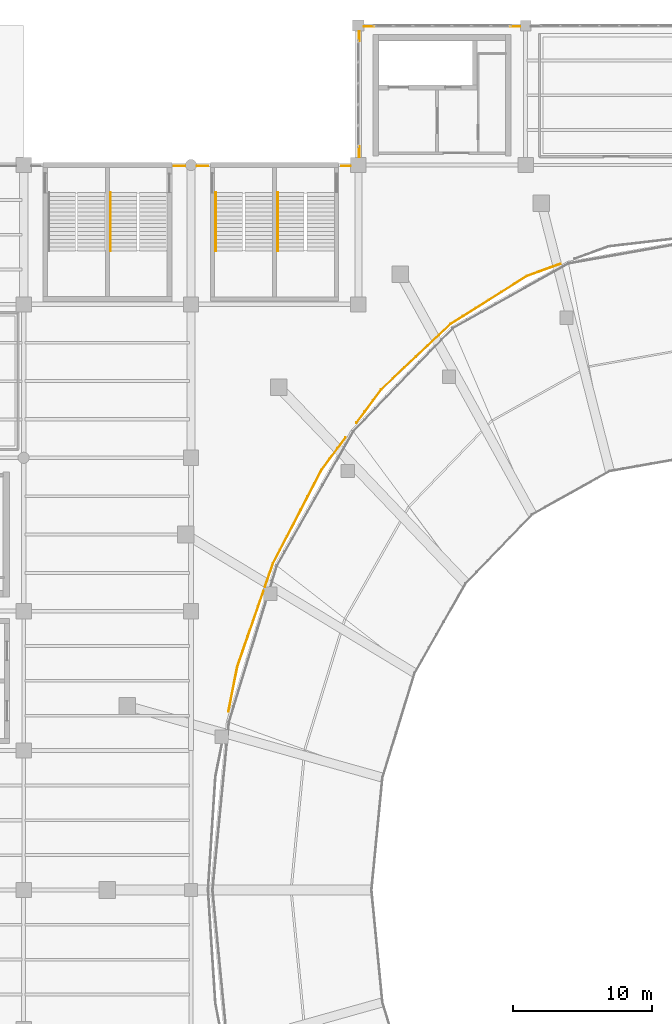
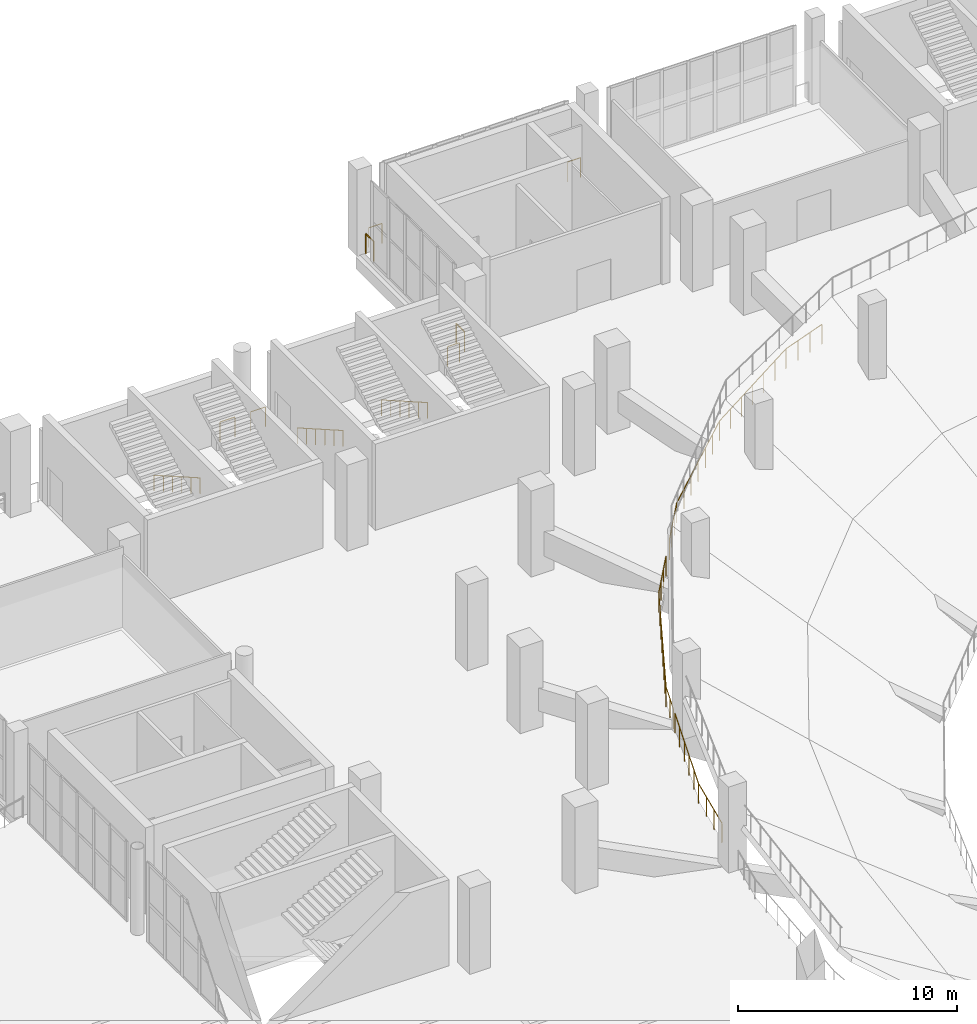
# One storey, part 129 of 136: 13 railings.
"""IFC4 building model written with IfcOpenShell, lengths in metres."""

from ifc_helpers import new_model, si_unit, direction, frame, origin, origin_2d, place, context, subcontext, project, spatial, circle, extrude, material, type_object, element, save


model = new_model("IFC4")

# Units and contexts
model_context = context("Model", 3, precision=1e-05, world=origin(), true_north=direction((0.0, 1.0)))
body_context = subcontext(model_context, "Body", "Model", "MODEL_VIEW")
ifc_project = project(units=[si_unit("LENGTHUNIT", "METRE"), si_unit("AREAUNIT", "SQUARE_METRE"), si_unit("VOLUMEUNIT", "CUBIC_METRE"), si_unit("PLANEANGLEUNIT", "RADIAN"), si_unit("MASSUNIT", "GRAM", prefix="KILO")], contexts=[model_context])

# Site, building, storey
site_placement = place(None, origin())
site = spatial("IfcSite", under=ifc_project, at=site_placement, CompositionType="ELEMENT")
building_placement = place(site_placement, origin())
building = spatial("IfcBuilding", under=site, at=building_placement, Name="Brinegate Civic Arena", CompositionType="ELEMENT")
storey_placement = place(building_placement, frame((0.0, 0.0, 5.39990234375)))
storey = spatial("IfcBuildingStorey", under=building, at=storey_placement, Name="L01", CompositionType="ELEMENT", Elevation=5.39990234375)

# Railings
ifc_material = material(Name="Architectural stainless steel balustrade", Category="steel")
railing_type_1 = type_object("IfcRailingType", Name="RAIL-STAIR-HANDRAIL-900", PredefinedType="HANDRAIL", material=ifc_material)
for number, where, name in (
    (1, (66.22509765625, 107.830078125, 2.400146484375), "Stair Pitch Handrail ST-01B L01"),
    (2, (73.77490234375, 107.830078125, 2.400146484375), "Stair Pitch Handrail ST-11A L01"),
    (3, (78.22509765625, 107.830078125, 2.400146484375), "Stair Pitch Handrail ST-11B L01"),
):
    element("IfcRailing", number, at=place(storey_placement, frame(where)), inside=storey, type_object=railing_type_1, Name=name, PredefinedType="HANDRAIL", context=body_context, shape_type="SweptSolid", body=[
        extrude(circle(Radius=0.02392578125, at=origin_2d()), frame((0.0, 0.001220703125, 0.875), z_axis=(0.0, 0.868227612608, -0.496166114024), x_axis=(-1.0, 0.0, 0.0)), (0.0, 0.0, 1.0), 4.83447265625),
        extrude(circle(Radius=0.02099609375, at=origin_2d()), origin(), (0.0, 0.0, 1.0), 0.849853515625),
        extrude(circle(Radius=0.02099609375, at=origin_2d()), frame((0.0, 0.840087890625, -0.47998046875)), (0.0, 0.0, 1.0), 0.849853515625),
        extrude(circle(Radius=0.02099609375, at=origin_2d()), frame((0.0, 1.679931640625, -0.9599609375)), (0.0, 0.0, 1.0), 0.849853515625),
        extrude(circle(Radius=0.02099609375, at=origin_2d()), frame((0.0, 2.52001953125, -1.440185546875)), (0.0, 0.0, 1.0), 0.849853515625),
        extrude(circle(Radius=0.02099609375, at=origin_2d()), frame((0.0, 3.35986328125, -1.920166015625)), (0.0, 0.0, 1.0), 0.849853515625),
        extrude(circle(Radius=0.02099609375, at=origin_2d()), frame((0.0, 4.199951171875, -2.400146484375)), (0.0, 0.0, 1.0), 0.849853515625),
    ])
railing_type_2 = type_object("IfcRailingType", Name="RAIL-VOID-BALUSTRADE-1120", PredefinedType="BALUSTRADE", material=ifc_material)
for number, where, name in (
    (4, (70.800048828125, 113.929931640625, 0.0), "Deck Edge Balustrade L01-015"),
    (5, (72.419921875, 113.929931640625, 0.0), "Deck Edge Balustrade L01-016"),
):
    element("IfcRailing", number, at=place(storey_placement, frame(where)), inside=storey, type_object=railing_type_2, Name=name, PredefinedType="BALUSTRADE", context=body_context, shape_type="SweptSolid", body=[
        extrude(circle(Radius=0.02392578125, at=origin_2d()), frame((0.00146484375, 0.0, 1.09619140625), z_axis=(1.0, 0.0, 0.0), x_axis=(0.0, 1.0, 0.0)), (0.0, 0.0, 1.0), 0.777099609375),
        extrude(circle(Radius=0.02099609375, at=origin_2d()), origin(), (0.0, 0.0, 1.0), 1.070068359375),
        extrude(circle(Radius=0.02099609375, at=origin_2d()), frame((0.780029296875, 0.0, 0.0)), (0.0, 0.0, 1.0), 1.070068359375),
    ])
railing_1_placement = place(storey_placement, frame((82.800048828125, 113.929931640625, 0.0)))
element("IfcRailing", 6, at=railing_1_placement, inside=storey, type_object=railing_type_2, Name="Deck Edge Balustrade L01-017", PredefinedType="BALUSTRADE", context=body_context, shape_type="SweptSolid", body=[
    extrude(circle(Radius=0.02392578125, at=origin_2d()), frame((0.00146484375, 0.0, 1.09619140625), z_axis=(1.0, 0.0, 0.0), x_axis=(0.0, 1.0, 0.0)), (0.0, 0.0, 1.0), 0.626953125),
    extrude(circle(Radius=0.02099609375, at=origin_2d()), origin(), (0.0, 0.0, 1.0), 1.070068359375),
    extrude(circle(Radius=0.02099609375, at=origin_2d()), frame((0.6298828125, 0.0, 0.0)), (0.0, 0.0, 1.0), 1.070068359375),
])
railing_2_placement = place(storey_placement, frame((84.070068359375, 114.570068359375, 0.0)))
element("IfcRailing", 7, at=railing_2_placement, inside=storey, type_object=railing_type_2, Name="Deck Edge Balustrade L01-018", PredefinedType="BALUSTRADE", context=body_context, shape_type="SweptSolid", body=[
    extrude(circle(Radius=0.02392578125, at=origin_2d()), frame((0.0, 0.00146484375, 1.09619140625), z_axis=(0.0, 1.0, 0.0), x_axis=(-1.0, 0.0, 0.0)), (0.0, 0.0, 1.0), 0.7548828125),
    extrude(circle(Radius=0.02099609375, at=origin_2d()), origin(), (0.0, 0.0, 1.0), 1.070068359375),
    extrude(circle(Radius=0.02099609375, at=origin_2d()), frame((0.0, 0.7578125, 0.0)), (0.0, 0.0, 1.0), 1.070068359375),
])
railing_3_placement = place(storey_placement, frame((84.070068359375, 122.884033203125, 0.0)))
element("IfcRailing", 8, at=railing_3_placement, inside=storey, type_object=railing_type_2, Name="Deck Edge Balustrade L01-019", PredefinedType="BALUSTRADE", context=body_context, shape_type="SweptSolid", body=[
    extrude(circle(Radius=0.02392578125, at=origin_2d()), frame((0.0, 0.00146484375, 1.09619140625), z_axis=(0.0, 1.0, 0.0), x_axis=(-1.0, 0.0, 0.0)), (0.0, 0.0, 1.0), 0.693115234375),
    extrude(circle(Radius=0.02099609375, at=origin_2d()), origin(), (0.0, 0.0, 1.0), 1.070068359375),
    extrude(circle(Radius=0.02099609375, at=origin_2d()), frame((0.0, 0.696044921875, 0.0)), (0.0, 0.0, 1.0), 1.070068359375),
])
railing_4_placement = place(storey_placement, frame((84.419921875, 123.929931640625, 0.0)))
element("IfcRailing", 9, at=railing_4_placement, inside=storey, type_object=railing_type_2, Name="Deck Edge Balustrade L01-020", PredefinedType="BALUSTRADE", context=body_context, shape_type="SweptSolid", body=[
    extrude(circle(Radius=0.02392578125, at=origin_2d()), frame((0.00146484375, 0.0, 1.09619140625), z_axis=(1.0, 0.0, 0.0), x_axis=(0.0, 1.0, 0.0)), (0.0, 0.0, 1.0), 0.693115234375),
    extrude(circle(Radius=0.02099609375, at=origin_2d()), origin(), (0.0, 0.0, 1.0), 1.070068359375),
    extrude(circle(Radius=0.02099609375, at=origin_2d()), frame((0.696044921875, 0.0, 0.0)), (0.0, 0.0, 1.0), 1.070068359375),
])
railing_5_placement = place(storey_placement, frame((94.919921875, 123.929931640625, 0.0)))
element("IfcRailing", 10, at=railing_5_placement, inside=storey, type_object=railing_type_2, Name="Deck Edge Balustrade L01-021", PredefinedType="BALUSTRADE", context=body_context, shape_type="SweptSolid", body=[
    extrude(circle(Radius=0.02392578125, at=origin_2d()), frame((0.00146484375, 0.0, 1.09619140625), z_axis=(1.0, 0.0, 0.0), x_axis=(0.0, 1.0, 0.0)), (0.0, 0.0, 1.0), 0.68212890625),
    extrude(circle(Radius=0.02099609375, at=origin_2d()), origin(), (0.0, 0.0, 1.0), 1.070068359375),
    extrude(circle(Radius=0.02099609375, at=origin_2d()), frame((0.68505859375, 0.0, 0.0)), (0.0, 0.0, 1.0), 1.070068359375),
])
railing_6_placement = place(storey_placement, frame((98.509033203125, 106.910888671875, 0.0)))
element("IfcRailing", 11, at=railing_6_placement, inside=storey, type_object=railing_type_2, Name="Deck Edge Balustrade L01-099", PredefinedType="BALUSTRADE", context=body_context, shape_type="SweptSolid", body=[
    extrude(circle(Radius=0.02392578125, at=origin_2d()), frame((-0.00146484375, -0.00048828125, 1.09619140625), z_axis=(-0.940570022755, -0.339599811978, 0.0), x_axis=(0.339599811978, -0.940570022755, 0.0)), (0.0, 0.0, 1.0), 2.5498046875),
    extrude(circle(Radius=0.02392578125, at=origin_2d()), frame((-2.40234375, -0.86767578125, 1.09619140625), z_axis=(-0.846573112604, -0.532272453746, 0.0), x_axis=(0.532272453746, -0.846573112604, 0.0)), (0.0, 0.0, 1.0), 6.48779296875),
    extrude(circle(Radius=0.02392578125, at=origin_2d()), frame((-7.89697265625, -4.32275390625, 1.09619140625), z_axis=(-0.727244132843, -0.686378883158, 0.0), x_axis=(0.686378883158, -0.727244132843, 0.0)), (0.0, 0.0, 1.0), 6.82568359375),
    extrude(circle(Radius=0.02392578125, at=origin_2d()), frame((-12.863037109375, -9.010009765625, 1.09619140625), z_axis=(-0.59566270232, -0.803234676209, 0.0), x_axis=(0.803234676209, -0.59566270232, 0.0)), (0.0, 0.0, 1.0), 2.97509765625),
    extrude(circle(Radius=0.02099609375, at=origin_2d()), origin(), (0.0, 0.0, 1.0), 1.070068359375),
    extrude(circle(Radius=0.02099609375, at=origin_2d()), frame((-0.80029296875, -0.2890625, 0.0)), (0.0, 0.0, 1.0), 1.070068359375),
    extrude(circle(Radius=0.02099609375, at=origin_2d()), frame((-1.600830078125, -0.577880859375, 0.0)), (0.0, 0.0, 1.0), 1.070068359375),
    extrude(circle(Radius=0.02099609375, at=origin_2d()), frame((-2.401123046875, -0.866943359375, 0.0)), (0.0, 0.0, 1.0), 1.070068359375),
    extrude(circle(Radius=0.02099609375, at=origin_2d()), frame((-3.31689453125, -1.44287109375, 0.0)), (0.0, 0.0, 1.0), 1.070068359375),
    extrude(circle(Radius=0.02099609375, at=origin_2d()), frame((-4.232666015625, -2.0185546875, 0.0)), (0.0, 0.0, 1.0), 1.070068359375),
    extrude(circle(Radius=0.02099609375, at=origin_2d()), frame((-5.1484375, -2.59423828125, 0.0)), (0.0, 0.0, 1.0), 1.070068359375),
    extrude(circle(Radius=0.02099609375, at=origin_2d()), frame((-6.064453125, -3.170166015625, 0.0)), (0.0, 0.0, 1.0), 1.070068359375),
    extrude(circle(Radius=0.02099609375, at=origin_2d()), frame((-6.980224609375, -3.74609375, 0.0)), (0.0, 0.0, 1.0), 1.070068359375),
    extrude(circle(Radius=0.02099609375, at=origin_2d()), frame((-7.89599609375, -4.32177734375, 0.0)), (0.0, 0.0, 1.0), 1.070068359375),
    extrude(circle(Radius=0.02099609375, at=origin_2d()), frame((-8.7236328125, -5.10302734375, 0.0)), (0.0, 0.0, 1.0), 1.070068359375),
    extrude(circle(Radius=0.02099609375, at=origin_2d()), frame((-9.55126953125, -5.884033203125, 0.0)), (0.0, 0.0, 1.0), 1.070068359375),
    extrude(circle(Radius=0.02099609375, at=origin_2d()), frame((-10.37890625, -6.665283203125, 0.0)), (0.0, 0.0, 1.0), 1.070068359375),
    extrude(circle(Radius=0.02099609375, at=origin_2d()), frame((-11.206787109375, -7.446533203125, 0.0)), (0.0, 0.0, 1.0), 1.070068359375),
    extrude(circle(Radius=0.02099609375, at=origin_2d()), frame((-12.034423828125, -8.2275390625, 0.0)), (0.0, 0.0, 1.0), 1.070068359375),
    extrude(circle(Radius=0.02099609375, at=origin_2d()), frame((-12.862060546875, -9.0087890625, 0.0)), (0.0, 0.0, 1.0), 1.070068359375),
    extrude(circle(Radius=0.02099609375, at=origin_2d()), frame((-13.453369140625, -9.80615234375, 0.0)), (0.0, 0.0, 1.0), 1.070068359375),
    extrude(circle(Radius=0.02099609375, at=origin_2d()), frame((-14.044677734375, -10.603515625, 0.0)), (0.0, 0.0, 1.0), 1.070068359375),
    extrude(circle(Radius=0.02099609375, at=origin_2d()), frame((-14.635986328125, -11.40087890625, 0.0)), (0.0, 0.0, 1.0), 1.070068359375),
])
railing_7_placement = place(storey_placement, frame((83.093017578125, 94.4599609375, 0.0)))
element("IfcRailing", 12, at=railing_7_placement, inside=storey, type_object=railing_type_2, Name="Deck Edge Balustrade L01-100", PredefinedType="BALUSTRADE", context=body_context, shape_type="SweptSolid", body=[
    extrude(circle(Radius=0.02392578125, at=origin_2d()), frame((-0.0009765625, -0.001220703125, 1.09619140625), z_axis=(-0.595368116229, -0.803453051633, 0.0), x_axis=(0.803453051633, -0.595368116229, 0.0)), (0.0, 0.0, 1.0), 2.904296875),
    extrude(circle(Radius=0.02392578125, at=origin_2d()), frame((-1.731689453125, -2.337158203125, 1.09619140625), z_axis=(-0.460850089638, -0.887477996843, 0.0), x_axis=(0.887477996843, -0.460850089638, 0.0)), (0.0, 0.0, 1.0), 7.53759765625),
    extrude(circle(Radius=0.02392578125, at=origin_2d()), frame((-5.20654296875, -9.029541015625, 1.09619140625), z_axis=(-0.327162237402, -0.944968184871, 0.0), x_axis=(0.944968184871, -0.327162237402, 0.0)), (0.0, 0.0, 1.0), 1.781982421875),
    extrude(circle(Radius=0.02099609375, at=origin_2d()), origin(), (0.0, 0.0, 1.0), 1.070068359375),
    extrude(circle(Radius=0.02099609375, at=origin_2d()), frame((-0.576904296875, -0.778564453125, 0.0)), (0.0, 0.0, 1.0), 1.070068359375),
    extrude(circle(Radius=0.02099609375, at=origin_2d()), frame((-1.154052734375, -1.557373046875, 0.0)), (0.0, 0.0, 1.0), 1.070068359375),
    extrude(circle(Radius=0.02099609375, at=origin_2d()), frame((-1.73095703125, -2.3359375, 0.0)), (0.0, 0.0, 1.0), 1.070068359375),
    extrude(circle(Radius=0.02099609375, at=origin_2d()), frame((-2.227294921875, -3.2919921875, 0.0)), (0.0, 0.0, 1.0), 1.070068359375),
    extrude(circle(Radius=0.02099609375, at=origin_2d()), frame((-2.723876953125, -4.248046875, 0.0)), (0.0, 0.0, 1.0), 1.070068359375),
    extrude(circle(Radius=0.02099609375, at=origin_2d()), frame((-3.22021484375, -5.2041015625, 0.0)), (0.0, 0.0, 1.0), 1.070068359375),
    extrude(circle(Radius=0.02099609375, at=origin_2d()), frame((-3.716796875, -6.159912109375, 0.0)), (0.0, 0.0, 1.0), 1.070068359375),
    extrude(circle(Radius=0.02099609375, at=origin_2d()), frame((-4.213134765625, -7.115966796875, 0.0)), (0.0, 0.0, 1.0), 1.070068359375),
    extrude(circle(Radius=0.02099609375, at=origin_2d()), frame((-4.709716796875, -8.072021484375, 0.0)), (0.0, 0.0, 1.0), 1.070068359375),
    extrude(circle(Radius=0.02099609375, at=origin_2d()), frame((-5.2060546875, -9.028076171875, 0.0)), (0.0, 0.0, 1.0), 1.070068359375),
    extrude(circle(Radius=0.02099609375, at=origin_2d()), frame((-5.498046875, -9.87158203125, 0.0)), (0.0, 0.0, 1.0), 1.070068359375),
    extrude(circle(Radius=0.02099609375, at=origin_2d()), frame((-5.7900390625, -10.71484375, 0.0)), (0.0, 0.0, 1.0), 1.070068359375),
])
railing_8_placement = place(storey_placement, frame((77.194091796875, 83.429931640625, 0.0)))
element("IfcRailing", 13, at=railing_8_placement, inside=storey, type_object=railing_type_2, Name="Deck Edge Balustrade L01-101", PredefinedType="BALUSTRADE", context=body_context, shape_type="SweptSolid", body=[
    extrude(circle(Radius=0.02392578125, at=origin_2d()), frame((-0.00048828125, -0.00146484375, 1.09619140625), z_axis=(-0.326796479955, -0.945094736356, 0.0), x_axis=(0.945094736356, -0.326796479955, 0.0)), (0.0, 0.0, 1.0), 5.710693359375),
    extrude(circle(Radius=0.02392578125, at=origin_2d()), frame((-1.867431640625, -5.4013671875, 1.09619140625), z_axis=(-0.195006756209, -0.980801898975, 0.0), x_axis=(0.980801898975, -0.195006756209, 0.0)), (0.0, 0.0, 1.0), 3.29833984375),
    extrude(circle(Radius=0.02099609375, at=origin_2d()), origin(), (0.0, 0.0, 1.0), 1.070068359375),
    extrude(circle(Radius=0.02099609375, at=origin_2d()), frame((-0.37353515625, -1.080078125, 0.0)), (0.0, 0.0, 1.0), 1.070068359375),
    extrude(circle(Radius=0.02099609375, at=origin_2d()), frame((-0.746826171875, -2.159912109375, 0.0)), (0.0, 0.0, 1.0), 1.070068359375),
    extrude(circle(Radius=0.02099609375, at=origin_2d()), frame((-1.120361328125, -3.239990234375, 0.0)), (0.0, 0.0, 1.0), 1.070068359375),
    extrude(circle(Radius=0.02099609375, at=origin_2d()), frame((-1.49365234375, -4.31982421875, 0.0)), (0.0, 0.0, 1.0), 1.070068359375),
    extrude(circle(Radius=0.02099609375, at=origin_2d()), frame((-1.8671875, -5.39990234375, 0.0)), (0.0, 0.0, 1.0), 1.070068359375),
    extrude(circle(Radius=0.02099609375, at=origin_2d()), frame((-2.081787109375, -6.479248046875, 0.0)), (0.0, 0.0, 1.0), 1.070068359375),
    extrude(circle(Radius=0.02099609375, at=origin_2d()), frame((-2.29638671875, -7.55859375, 0.0)), (0.0, 0.0, 1.0), 1.070068359375),
    extrude(circle(Radius=0.02099609375, at=origin_2d()), frame((-2.510986328125, -8.637939453125, 0.0)), (0.0, 0.0, 1.0), 1.070068359375),
])

save(model, "model.ifc")
